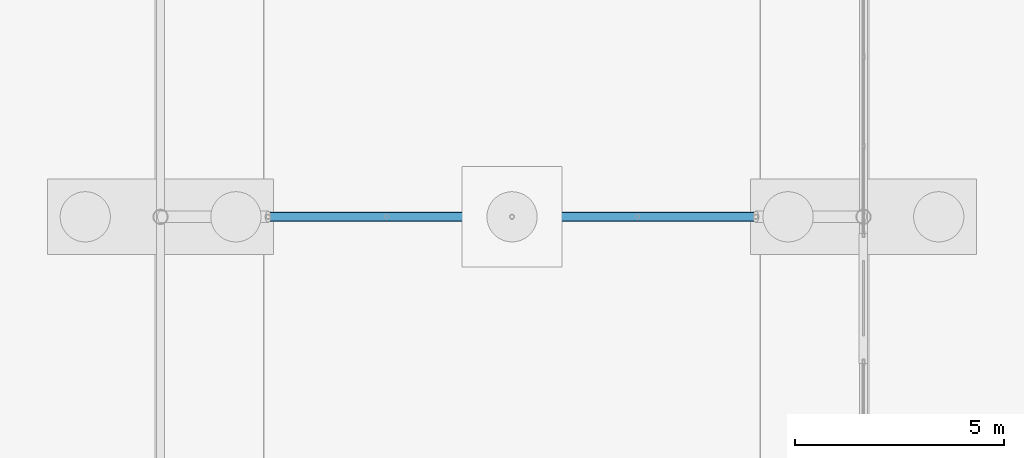
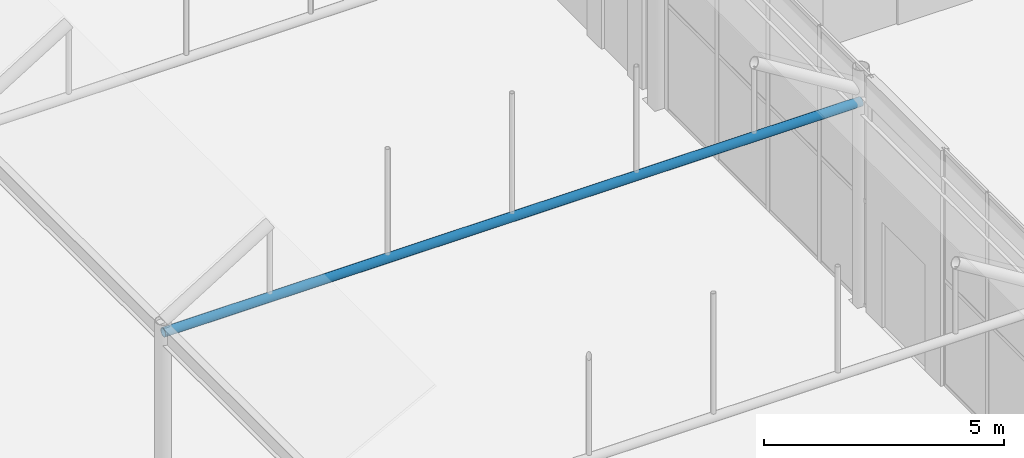
# One storey, part 93 of 212: 1 beam.
"""IFC4 building model written with IfcOpenShell, lengths in metres."""

from ifc_helpers import new_model, si_unit, direction, frame, origin, origin_2d, place, context, subcontext, project, spatial, hollow_circle, extrude, material, material_profile, profile_set, type_object, element, save


model = new_model("IFC4")

# Units and contexts
model_context = context("Model", 3, precision=1e-05, world=origin(), true_north=direction((0.0, 1.0)))
body_context = subcontext(model_context, "Body", "Model", "MODEL_VIEW")
ifc_project = project(units=[si_unit("LENGTHUNIT", "METRE"), si_unit("AREAUNIT", "SQUARE_METRE"), si_unit("VOLUMEUNIT", "CUBIC_METRE"), si_unit("PLANEANGLEUNIT", "RADIAN"), si_unit("MASSUNIT", "GRAM", prefix="KILO")], contexts=[model_context])

# Site, building, storey
site_placement = place(None, origin())
site = spatial("IfcSite", under=ifc_project, at=site_placement, CompositionType="ELEMENT")
building_placement = place(site_placement, origin())
building = spatial("IfcBuilding", under=site, at=building_placement, Name="Catenary Quay Ferry Terminal", CompositionType="ELEMENT")
storey_placement = place(building_placement, origin())
storey = spatial("IfcBuildingStorey", under=building, at=storey_placement, Name="L00", CompositionType="ELEMENT", Elevation=0.0)

# Beam
ifc_material = material(Name="Steel S355", Category="steel")
ifc_material_profile = material_profile(ifc_material, hollow_circle(Radius=0.109619140625, WallThickness=0.010009765625, at=origin_2d()), Name="CHS 219.1x10")
ifc_profile_set = profile_set([ifc_material_profile], Name="Steel S355")
beam_type = type_object("IfcBeamType", Name="TB2 CHS 219.1x10", PredefinedType="BEAM", material=ifc_profile_set)
beam_placement = place(storey_placement, frame((8.39990234375, 92.39990234375, 5.10009765625), z_axis=(1.0, 0.0, 0.0), x_axis=(0.0, 1.0, 0.0)))
element("IfcBeam", 1, at=beam_placement, inside=storey, type_object=beam_type, Name="tie beam FC-04", PredefinedType="BEAM", context=body_context, shape_type="SweptSolid", body=[
    extrude(hollow_circle(Radius=0.109619140625, WallThickness=0.010009765625, at=origin_2d()), origin(), (0.0, 0.0, 1.0), 16.800048828125),
])

save(model, "model.ifc")
